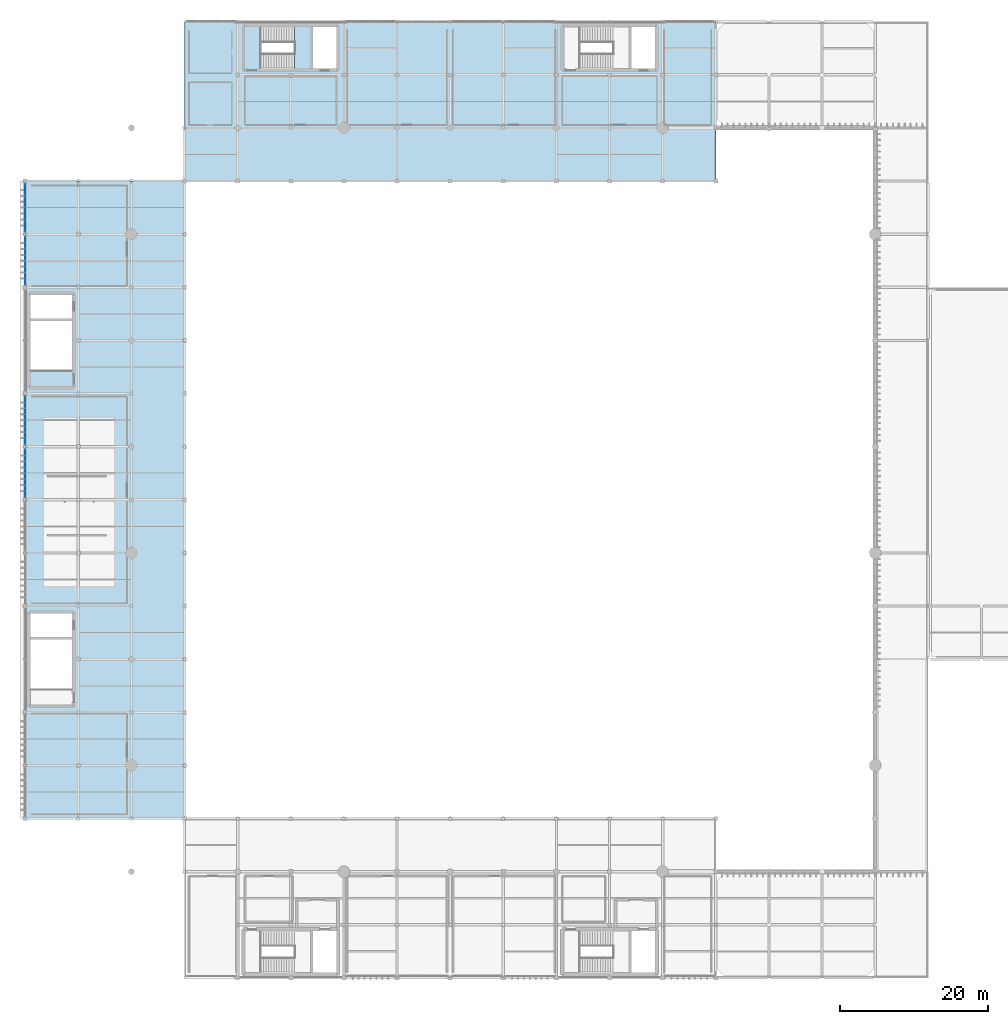
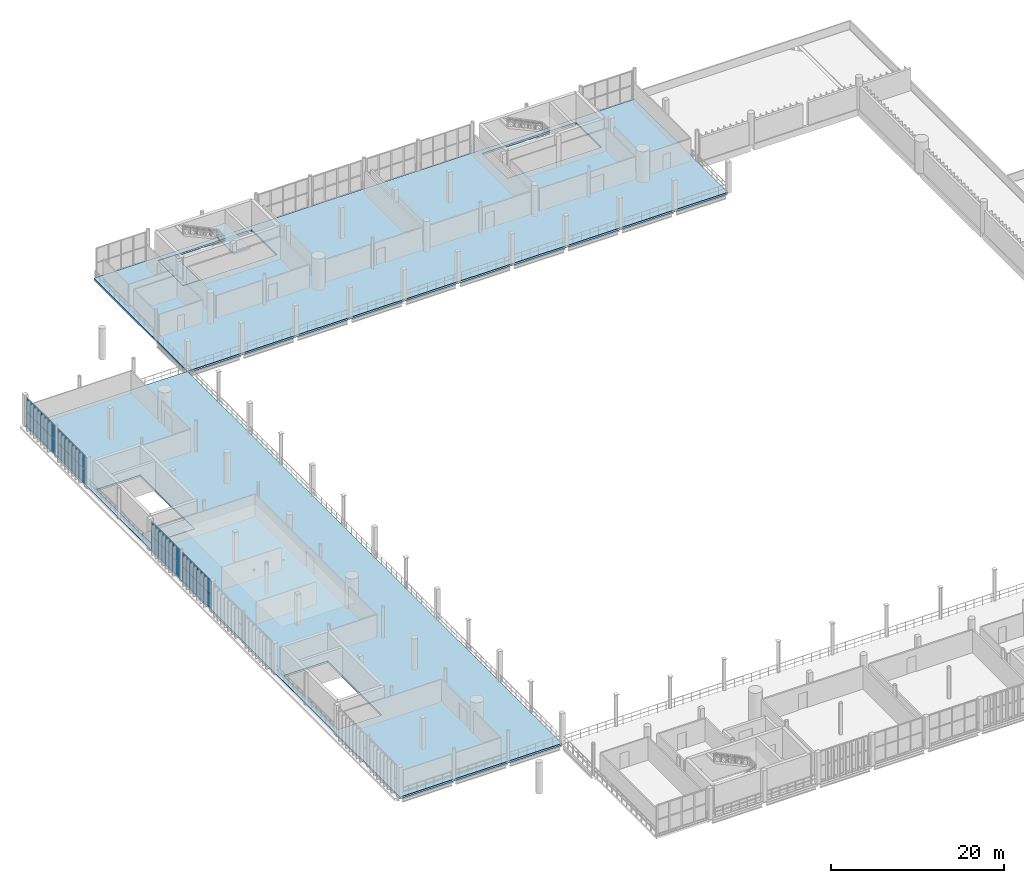
# One storey, part 54 of 81: 32 plates, 5 slabs, 5 elements without a shape of their own.
"""IFC4 building model written with IfcOpenShell, lengths in metres."""

from ifc_helpers import new_model, si_unit, direction, frame, origin, origin_2d, place, context, subcontext, project, spatial, polyline, rectangle, outline, extrude, material, layer, layer_set, type_object, element, aggregate, save


model = new_model("IFC4")

# Units and contexts
model_context = context("Model", 3, precision=1e-05, world=origin(), true_north=direction((0.0, 1.0)))
body_context = subcontext(model_context, "Body", "Model", "MODEL_VIEW")
ifc_project = project(units=[si_unit("LENGTHUNIT", "METRE"), si_unit("AREAUNIT", "SQUARE_METRE"), si_unit("VOLUMEUNIT", "CUBIC_METRE"), si_unit("PLANEANGLEUNIT", "RADIAN"), si_unit("MASSUNIT", "GRAM", prefix="KILO")], contexts=[model_context])

# Site, building, storey
site_placement = place(None, origin())
site = spatial("IfcSite", under=ifc_project, at=site_placement, CompositionType="ELEMENT")
building_placement = place(site_placement, origin())
building = spatial("IfcBuilding", under=site, at=building_placement, Name="Qandorah Velis Arena", CompositionType="ELEMENT")
storey_placement = place(building_placement, frame((0.0, 0.0, 18.60009765625)))
storey = spatial("IfcBuildingStorey", under=building, at=storey_placement, Name="L04", CompositionType="ELEMENT", Elevation=18.60009765625)

# Curtain wall, plates
ifc_material_1 = material(Name="Solar-control low-E double glazing", Category="glass")
curtain_wall_type_1 = type_object("IfcCurtainWallType", Name="ARC-CW-SYS14", PredefinedType="USERDEFINED", material=ifc_material_1)
curtain_wall_1_placement = place(storey_placement, origin())
curtain_wall_1 = element("IfcCurtainWall", 1, at=curtain_wall_1_placement, inside=storey, type_object=curtain_wall_type_1, Name="Unitised curtain wall L04-038", ObjectType="UNITISED CURTAIN WALL", PredefinedType="USERDEFINED")
ifc_layer_1 = layer(ifc_material_1, 0.028076171875)
ifc_layer_set_1 = layer_set([ifc_layer_1], Name="Solar-control low-E double glazing")
plate_type_1 = type_object("IfcPlateType", Name="ARC-CWP-GLZ28", PredefinedType="CURTAIN_PANEL", material=ifc_layer_set_1)
plate_1_placement = place(storey_placement, frame((0.0, 101.941162109375, 0.054931640625), z_axis=(0.0, 0.0, 1.0), x_axis=(0.0, 1.0, 0.0)))
plate_1 = element("IfcPlate", 2, at=plate_1_placement, type_object=plate_type_1, Name="CW14 panel 1.1", PredefinedType="CURTAIN_PANEL", context=body_context, shape_type="SweptSolid", body=[
    extrude(rectangle(XDim=1.572509765625, YDim=0.028076171875, at=origin_2d()), origin(), (0.0, 0.0, 1.0), 1.99755859375),
])
plate_2_placement = place(storey_placement, frame((0.0, 101.941162109375, 2.097412109375), z_axis=(0.0, 0.0, 1.0), x_axis=(0.0, 1.0, 0.0)))
plate_2 = element("IfcPlate", 3, at=plate_2_placement, type_object=plate_type_1, Name="CW14 panel 1.2", PredefinedType="CURTAIN_PANEL", context=body_context, shape_type="SweptSolid", body=[
    extrude(rectangle(XDim=1.572509765625, YDim=0.028076171875, at=origin_2d()), origin(), (0.0, 0.0, 1.0), 1.99755859375),
])
plate_3_placement = place(storey_placement, frame((0.0, 103.574951171875, 0.054931640625), z_axis=(0.0, 0.0, 1.0), x_axis=(0.0, 1.0, 0.0)))
plate_3 = element("IfcPlate", 4, at=plate_3_placement, type_object=plate_type_1, Name="CW14 panel 2.1", PredefinedType="CURTAIN_PANEL", context=body_context, shape_type="SweptSolid", body=[
    extrude(rectangle(XDim=1.60498046875, YDim=0.028076171875, at=origin_2d()), origin(), (0.0, 0.0, 1.0), 1.99755859375),
])
plate_4_placement = place(storey_placement, frame((0.0, 103.574951171875, 2.097412109375), z_axis=(0.0, 0.0, 1.0), x_axis=(0.0, 1.0, 0.0)))
plate_4 = element("IfcPlate", 5, at=plate_4_placement, type_object=plate_type_1, Name="CW14 panel 2.2", PredefinedType="CURTAIN_PANEL", context=body_context, shape_type="SweptSolid", body=[
    extrude(rectangle(XDim=1.60498046875, YDim=0.028076171875, at=origin_2d()), origin(), (0.0, 0.0, 1.0), 1.99755859375),
])
plate_5_placement = place(storey_placement, frame((0.0, 105.22509765625, 0.054931640625), z_axis=(0.0, 0.0, 1.0), x_axis=(0.0, 1.0, 0.0)))
plate_5 = element("IfcPlate", 6, at=plate_5_placement, type_object=plate_type_1, Name="CW14 panel 3.1", PredefinedType="CURTAIN_PANEL", context=body_context, shape_type="SweptSolid", body=[
    extrude(rectangle(XDim=1.60498046875, YDim=0.028076171875, at=origin_2d()), origin(), (0.0, 0.0, 1.0), 1.99755859375),
])
plate_6_placement = place(storey_placement, frame((0.0, 105.22509765625, 2.097412109375), z_axis=(0.0, 0.0, 1.0), x_axis=(0.0, 1.0, 0.0)))
plate_6 = element("IfcPlate", 7, at=plate_6_placement, type_object=plate_type_1, Name="CW14 panel 3.2", PredefinedType="CURTAIN_PANEL", context=body_context, shape_type="SweptSolid", body=[
    extrude(rectangle(XDim=1.60498046875, YDim=0.028076171875, at=origin_2d()), origin(), (0.0, 0.0, 1.0), 1.99755859375),
])
plate_7_placement = place(storey_placement, frame((0.0, 106.858642578125, 0.054931640625), z_axis=(0.0, 0.0, 1.0), x_axis=(0.0, 1.0, 0.0)))
plate_7 = element("IfcPlate", 8, at=plate_7_placement, type_object=plate_type_1, Name="CW14 panel 4.1", PredefinedType="CURTAIN_PANEL", context=body_context, shape_type="SweptSolid", body=[
    extrude(rectangle(XDim=1.572509765625, YDim=0.028076171875, at=origin_2d()), origin(), (0.0, 0.0, 1.0), 1.99755859375),
])
plate_8_placement = place(storey_placement, frame((0.0, 106.858642578125, 2.097412109375), z_axis=(0.0, 0.0, 1.0), x_axis=(0.0, 1.0, 0.0)))
plate_8 = element("IfcPlate", 9, at=plate_8_placement, type_object=plate_type_1, Name="CW14 panel 4.2", PredefinedType="CURTAIN_PANEL", context=body_context, shape_type="SweptSolid", body=[
    extrude(rectangle(XDim=1.572509765625, YDim=0.028076171875, at=origin_2d()), origin(), (0.0, 0.0, 1.0), 1.99755859375),
])
aggregate(curtain_wall_1, [plate_1, plate_2, plate_3, plate_4, plate_5, plate_6, plate_7, plate_8])

curtain_wall_type_2 = type_object("IfcCurtainWallType", Name="ARC-CW-SYS13", PredefinedType="USERDEFINED", material=ifc_material_1)
curtain_wall_2_placement = place(storey_placement, origin())
curtain_wall_2 = element("IfcCurtainWall", 10, at=curtain_wall_2_placement, inside=storey, type_object=curtain_wall_type_2, Name="Unitised curtain wall L04-037", ObjectType="UNITISED CURTAIN WALL", PredefinedType="USERDEFINED")
ifc_layer_2 = layer(ifc_material_1, 0.030029296875)
ifc_layer_set_2 = layer_set([ifc_layer_2], Name="Solar-control low-E double glazing")
plate_type_2 = type_object("IfcPlateType", Name="ARC-CWP-GLZ30", PredefinedType="CURTAIN_PANEL", material=ifc_layer_set_2)
plate_9_placement = place(storey_placement, frame((0.0, 94.74365234375, 0.06494140625), z_axis=(0.0, 0.0, 1.0), x_axis=(0.0, 1.0, 0.0)))
plate_9 = element("IfcPlate", 11, at=plate_9_placement, type_object=plate_type_2, Name="CW13 panel 1.1", PredefinedType="CURTAIN_PANEL", context=body_context, shape_type="SweptSolid", body=[
    extrude(rectangle(XDim=1.5576171875, YDim=0.030029296875, at=origin_2d()), origin(), (0.0, 0.0, 1.0), 1.982421875),
])
plate_10_placement = place(storey_placement, frame((0.0, 94.74365234375, 2.1025390625), z_axis=(0.0, 0.0, 1.0), x_axis=(0.0, 1.0, 0.0)))
plate_10 = element("IfcPlate", 12, at=plate_10_placement, type_object=plate_type_2, Name="CW13 panel 1.2", PredefinedType="CURTAIN_PANEL", context=body_context, shape_type="SweptSolid", body=[
    extrude(rectangle(XDim=1.5576171875, YDim=0.030029296875, at=origin_2d()), origin(), (0.0, 0.0, 1.0), 1.982421875),
])
plate_11_placement = place(storey_placement, frame((0.0, 96.375, 0.06494140625), z_axis=(0.0, 0.0, 1.0), x_axis=(0.0, 1.0, 0.0)))
plate_11 = element("IfcPlate", 13, at=plate_11_placement, type_object=plate_type_2, Name="CW13 panel 2.1", PredefinedType="CURTAIN_PANEL", context=body_context, shape_type="SweptSolid", body=[
    extrude(rectangle(XDim=1.594970703125, YDim=0.030029296875, at=origin_2d()), origin(), (0.0, 0.0, 1.0), 1.982421875),
])
plate_12_placement = place(storey_placement, frame((0.0, 96.375, 2.1025390625), z_axis=(0.0, 0.0, 1.0), x_axis=(0.0, 1.0, 0.0)))
plate_12 = element("IfcPlate", 14, at=plate_12_placement, type_object=plate_type_2, Name="CW13 panel 2.2", PredefinedType="CURTAIN_PANEL", context=body_context, shape_type="SweptSolid", body=[
    extrude(rectangle(XDim=1.594970703125, YDim=0.030029296875, at=origin_2d()), origin(), (0.0, 0.0, 1.0), 1.982421875),
])
plate_13_placement = place(storey_placement, frame((0.0, 98.02490234375, 0.06494140625), z_axis=(0.0, 0.0, 1.0), x_axis=(0.0, 1.0, 0.0)))
plate_13 = element("IfcPlate", 15, at=plate_13_placement, type_object=plate_type_2, Name="CW13 panel 3.1", PredefinedType="CURTAIN_PANEL", context=body_context, shape_type="SweptSolid", body=[
    extrude(rectangle(XDim=1.594970703125, YDim=0.030029296875, at=origin_2d()), origin(), (0.0, 0.0, 1.0), 1.982421875),
])
plate_14_placement = place(storey_placement, frame((0.0, 98.02490234375, 2.1025390625), z_axis=(0.0, 0.0, 1.0), x_axis=(0.0, 1.0, 0.0)))
plate_14 = element("IfcPlate", 16, at=plate_14_placement, type_object=plate_type_2, Name="CW13 panel 3.2", PredefinedType="CURTAIN_PANEL", context=body_context, shape_type="SweptSolid", body=[
    extrude(rectangle(XDim=1.594970703125, YDim=0.030029296875, at=origin_2d()), origin(), (0.0, 0.0, 1.0), 1.982421875),
])
plate_15_placement = place(storey_placement, frame((0.0, 99.65625, 0.06494140625), z_axis=(0.0, 0.0, 1.0), x_axis=(0.0, 1.0, 0.0)))
plate_15 = element("IfcPlate", 17, at=plate_15_placement, type_object=plate_type_2, Name="CW13 panel 4.1", PredefinedType="CURTAIN_PANEL", context=body_context, shape_type="SweptSolid", body=[
    extrude(rectangle(XDim=1.5576171875, YDim=0.030029296875, at=origin_2d()), origin(), (0.0, 0.0, 1.0), 1.982421875),
])
plate_16_placement = place(storey_placement, frame((0.0, 99.65625, 2.1025390625), z_axis=(0.0, 0.0, 1.0), x_axis=(0.0, 1.0, 0.0)))
plate_16 = element("IfcPlate", 18, at=plate_16_placement, type_object=plate_type_2, Name="CW13 panel 4.2", PredefinedType="CURTAIN_PANEL", context=body_context, shape_type="SweptSolid", body=[
    extrude(rectangle(XDim=1.5576171875, YDim=0.030029296875, at=origin_2d()), origin(), (0.0, 0.0, 1.0), 1.982421875),
])
aggregate(curtain_wall_2, [plate_9, plate_10, plate_11, plate_12, plate_13, plate_14, plate_15, plate_16])

curtain_wall_type_3 = type_object("IfcCurtainWallType", Name="ARC-CW-SYS12", PredefinedType="USERDEFINED", material=ifc_material_1)
curtain_wall_3_placement = place(storey_placement, origin())
curtain_wall_3 = element("IfcCurtainWall", 19, at=curtain_wall_3_placement, inside=storey, type_object=curtain_wall_type_3, Name="Unitised curtain wall L04-036", ObjectType="UNITISED CURTAIN WALL", PredefinedType="USERDEFINED")
ifc_layer_3 = layer(ifc_material_1, 0.035888671875)
ifc_layer_set_3 = layer_set([ifc_layer_3], Name="Solar-control low-E double glazing")
plate_type_3 = type_object("IfcPlateType", Name="ARC-CWP-GLZ36", PredefinedType="CURTAIN_PANEL", material=ifc_layer_set_3)
plate_17_placement = place(storey_placement, frame((0.0, 73.138671875, 0.044921875), z_axis=(0.0, 0.0, 1.0), x_axis=(0.0, 1.0, 0.0)))
plate_17 = element("IfcPlate", 20, at=plate_17_placement, type_object=plate_type_3, Name="CW12 panel 1.1", PredefinedType="CURTAIN_PANEL", context=body_context, shape_type="SweptSolid", body=[
    extrude(rectangle(XDim=1.58740234375, YDim=0.035888671875, at=origin_2d()), origin(), (0.0, 0.0, 1.0), 2.012451171875),
])
plate_18_placement = place(storey_placement, frame((0.0, 73.138671875, 2.09228515625), z_axis=(0.0, 0.0, 1.0), x_axis=(0.0, 1.0, 0.0)))
plate_18 = element("IfcPlate", 21, at=plate_18_placement, type_object=plate_type_3, Name="CW12 panel 1.2", PredefinedType="CURTAIN_PANEL", context=body_context, shape_type="SweptSolid", body=[
    extrude(rectangle(XDim=1.58740234375, YDim=0.035888671875, at=origin_2d()), origin(), (0.0, 0.0, 1.0), 2.012451171875),
])
plate_19_placement = place(storey_placement, frame((0.0, 74.77490234375, 0.044921875), z_axis=(0.0, 0.0, 1.0), x_axis=(0.0, 1.0, 0.0)))
plate_19 = element("IfcPlate", 22, at=plate_19_placement, type_object=plate_type_3, Name="CW12 panel 2.1", PredefinedType="CURTAIN_PANEL", context=body_context, shape_type="SweptSolid", body=[
    extrude(rectangle(XDim=1.614990234375, YDim=0.035888671875, at=origin_2d()), origin(), (0.0, 0.0, 1.0), 2.012451171875),
])
plate_20_placement = place(storey_placement, frame((0.0, 74.77490234375, 2.09228515625), z_axis=(0.0, 0.0, 1.0), x_axis=(0.0, 1.0, 0.0)))
plate_20 = element("IfcPlate", 23, at=plate_20_placement, type_object=plate_type_3, Name="CW12 panel 2.2", PredefinedType="CURTAIN_PANEL", context=body_context, shape_type="SweptSolid", body=[
    extrude(rectangle(XDim=1.614990234375, YDim=0.035888671875, at=origin_2d()), origin(), (0.0, 0.0, 1.0), 2.012451171875),
])
plate_21_placement = place(storey_placement, frame((0.0, 76.425048828125, 0.044921875), z_axis=(0.0, 0.0, 1.0), x_axis=(0.0, 1.0, 0.0)))
plate_21 = element("IfcPlate", 24, at=plate_21_placement, type_object=plate_type_3, Name="CW12 panel 3.1", PredefinedType="CURTAIN_PANEL", context=body_context, shape_type="SweptSolid", body=[
    extrude(rectangle(XDim=1.614990234375, YDim=0.035888671875, at=origin_2d()), origin(), (0.0, 0.0, 1.0), 2.012451171875),
])
plate_22_placement = place(storey_placement, frame((0.0, 76.425048828125, 2.09228515625), z_axis=(0.0, 0.0, 1.0), x_axis=(0.0, 1.0, 0.0)))
plate_22 = element("IfcPlate", 25, at=plate_22_placement, type_object=plate_type_3, Name="CW12 panel 3.2", PredefinedType="CURTAIN_PANEL", context=body_context, shape_type="SweptSolid", body=[
    extrude(rectangle(XDim=1.614990234375, YDim=0.035888671875, at=origin_2d()), origin(), (0.0, 0.0, 1.0), 2.012451171875),
])
plate_23_placement = place(storey_placement, frame((0.0, 78.061279296875, 0.044921875), z_axis=(0.0, 0.0, 1.0), x_axis=(0.0, 1.0, 0.0)))
plate_23 = element("IfcPlate", 26, at=plate_23_placement, type_object=plate_type_3, Name="CW12 panel 4.1", PredefinedType="CURTAIN_PANEL", context=body_context, shape_type="SweptSolid", body=[
    extrude(rectangle(XDim=1.58740234375, YDim=0.035888671875, at=origin_2d()), origin(), (0.0, 0.0, 1.0), 2.012451171875),
])
plate_24_placement = place(storey_placement, frame((0.0, 78.061279296875, 2.09228515625), z_axis=(0.0, 0.0, 1.0), x_axis=(0.0, 1.0, 0.0)))
plate_24 = element("IfcPlate", 27, at=plate_24_placement, type_object=plate_type_3, Name="CW12 panel 4.2", PredefinedType="CURTAIN_PANEL", context=body_context, shape_type="SweptSolid", body=[
    extrude(rectangle(XDim=1.58740234375, YDim=0.035888671875, at=origin_2d()), origin(), (0.0, 0.0, 1.0), 2.012451171875),
])
aggregate(curtain_wall_3, [plate_17, plate_18, plate_19, plate_20, plate_21, plate_22, plate_23, plate_24])

curtain_wall_type_4 = type_object("IfcCurtainWallType", Name="ARC-CW-SYS11", PredefinedType="USERDEFINED", material=ifc_material_1)
curtain_wall_4_placement = place(storey_placement, origin())
curtain_wall_4 = element("IfcCurtainWall", 28, at=curtain_wall_4_placement, inside=storey, type_object=curtain_wall_type_4, Name="Unitised curtain wall L04-035", ObjectType="UNITISED CURTAIN WALL", PredefinedType="USERDEFINED")
ifc_layer_4 = layer(ifc_material_1, 0.0439453125)
ifc_layer_set_4 = layer_set([ifc_layer_4], Name="Solar-control low-E double glazing")
plate_type_4 = type_object("IfcPlateType", Name="ARC-CWP-SPN44", PredefinedType="CURTAIN_PANEL", material=ifc_layer_set_4)
plate_25_placement = place(storey_placement, frame((0.0, 65.93994140625, 0.050048828125), z_axis=(0.0, 0.0, 1.0), x_axis=(0.0, 1.0, 0.0)))
plate_25 = element("IfcPlate", 29, at=plate_25_placement, type_object=plate_type_4, Name="CW11 panel 1.1", PredefinedType="CURTAIN_PANEL", context=body_context, shape_type="SweptSolid", body=[
    extrude(rectangle(XDim=1.580078125, YDim=0.0439453125, at=origin_2d()), origin(), (0.0, 0.0, 1.0), 2.0048828125),
])
plate_26_placement = place(storey_placement, frame((0.0, 65.93994140625, 2.094970703125), z_axis=(0.0, 0.0, 1.0), x_axis=(0.0, 1.0, 0.0)))
plate_26 = element("IfcPlate", 30, at=plate_26_placement, type_object=plate_type_4, Name="CW11 panel 1.2", PredefinedType="CURTAIN_PANEL", context=body_context, shape_type="SweptSolid", body=[
    extrude(rectangle(XDim=1.580078125, YDim=0.0439453125, at=origin_2d()), origin(), (0.0, 0.0, 1.0), 2.0048828125),
])
plate_27_placement = place(storey_placement, frame((0.0, 67.574951171875, 0.050048828125), z_axis=(0.0, 0.0, 1.0), x_axis=(0.0, 1.0, 0.0)))
plate_27 = element("IfcPlate", 31, at=plate_27_placement, type_object=plate_type_4, Name="CW11 panel 2.1", PredefinedType="CURTAIN_PANEL", context=body_context, shape_type="SweptSolid", body=[
    extrude(rectangle(XDim=1.610107421875, YDim=0.0439453125, at=origin_2d()), origin(), (0.0, 0.0, 1.0), 2.0048828125),
])
plate_28_placement = place(storey_placement, frame((0.0, 67.574951171875, 2.094970703125), z_axis=(0.0, 0.0, 1.0), x_axis=(0.0, 1.0, 0.0)))
plate_28 = element("IfcPlate", 32, at=plate_28_placement, type_object=plate_type_4, Name="CW11 panel 2.2", PredefinedType="CURTAIN_PANEL", context=body_context, shape_type="SweptSolid", body=[
    extrude(rectangle(XDim=1.610107421875, YDim=0.0439453125, at=origin_2d()), origin(), (0.0, 0.0, 1.0), 2.0048828125),
])
plate_29_placement = place(storey_placement, frame((0.0, 69.22509765625, 0.050048828125), z_axis=(0.0, 0.0, 1.0), x_axis=(0.0, 1.0, 0.0)))
plate_29 = element("IfcPlate", 33, at=plate_29_placement, type_object=plate_type_4, Name="CW11 panel 3.1", PredefinedType="CURTAIN_PANEL", context=body_context, shape_type="SweptSolid", body=[
    extrude(rectangle(XDim=1.610107421875, YDim=0.0439453125, at=origin_2d()), origin(), (0.0, 0.0, 1.0), 2.0048828125),
])
plate_30_placement = place(storey_placement, frame((0.0, 69.22509765625, 2.094970703125), z_axis=(0.0, 0.0, 1.0), x_axis=(0.0, 1.0, 0.0)))
plate_30 = element("IfcPlate", 34, at=plate_30_placement, type_object=plate_type_4, Name="CW11 panel 3.2", PredefinedType="CURTAIN_PANEL", context=body_context, shape_type="SweptSolid", body=[
    extrude(rectangle(XDim=1.610107421875, YDim=0.0439453125, at=origin_2d()), origin(), (0.0, 0.0, 1.0), 2.0048828125),
])
plate_31_placement = place(storey_placement, frame((0.0, 70.860107421875, 0.050048828125), z_axis=(0.0, 0.0, 1.0), x_axis=(0.0, 1.0, 0.0)))
plate_31 = element("IfcPlate", 35, at=plate_31_placement, type_object=plate_type_4, Name="CW11 panel 4.1", PredefinedType="CURTAIN_PANEL", context=body_context, shape_type="SweptSolid", body=[
    extrude(rectangle(XDim=1.580078125, YDim=0.0439453125, at=origin_2d()), origin(), (0.0, 0.0, 1.0), 2.0048828125),
])
plate_32_placement = place(storey_placement, frame((0.0, 70.860107421875, 2.094970703125), z_axis=(0.0, 0.0, 1.0), x_axis=(0.0, 1.0, 0.0)))
plate_32 = element("IfcPlate", 36, at=plate_32_placement, type_object=plate_type_4, Name="CW11 panel 4.2", PredefinedType="CURTAIN_PANEL", context=body_context, shape_type="SweptSolid", body=[
    extrude(rectangle(XDim=1.580078125, YDim=0.0439453125, at=origin_2d()), origin(), (0.0, 0.0, 1.0), 2.0048828125),
])
aggregate(curtain_wall_4, [plate_25, plate_26, plate_27, plate_28, plate_29, plate_30, plate_31, plate_32])

# Slabs
ifc_material_2 = material(Name="Concrete C40/50", Category="concrete")
ifc_layer_5 = layer(ifc_material_2, 0.27001953125)
ifc_layer_set_5 = layer_set([ifc_layer_5], Name="Concrete C40/50")
slab_type_1 = type_object("IfcSlabType", Name="STR-SLB-FL270", PredefinedType="FLOOR", material=ifc_layer_set_5)
slab_1_placement = place(storey_placement, frame((0.0, 0.0, -0.27001953125)))
element("IfcSlab", 37, at=slab_1_placement, inside=storey, type_object=slab_type_1, Name="Structural floor slab L04_WEST_MEDIA", PredefinedType="FLOOR", context=body_context, shape_type="SweptSolid", body=[
    extrude(outline(polyline([(21.60009765625, 21.60009765625), (0.0, 21.60009765625), (0.0, 108.0), (21.60009765625, 108.0), (21.60009765625, 21.60009765625)]), holes=[polyline([(6.455078125, 36.945068359375), (6.455078125, 39.155029296875), (6.455078125, 49.455078125), (0.64501953125, 49.455078125), (0.64501953125, 39.155029296875), (0.64501953125, 36.945068359375), (6.455078125, 36.945068359375)]), polyline([(0.64501953125, 80.14501953125), (6.455078125, 80.14501953125), (6.455078125, 82.35498046875), (6.455078125, 92.655029296875), (0.64501953125, 92.655029296875), (0.64501953125, 82.35498046875), (0.64501953125, 80.14501953125)])]), origin(), (0.0, 0.0, 1.0), 0.27001953125),
])
slab_2_placement = place(storey_placement, frame((0.0, 0.0, -0.27001953125)))
element("IfcSlab", 38, at=slab_2_placement, inside=storey, type_object=slab_type_1, Name="Structural floor slab L04_NORTH_MEDIA", PredefinedType="FLOOR", context=body_context, shape_type="SweptSolid", body=[
    extrude(outline(polyline([(93.60009765625, 108.0), (21.60009765625, 108.0), (21.60009765625, 129.60009765625), (93.60009765625, 129.60009765625), (93.60009765625, 108.0)]), holes=[polyline([(29.7451171875, 123.14501953125), (31.955078125, 123.14501953125), (42.2548828125, 123.14501953125), (42.2548828125, 128.955078125), (31.955078125, 128.955078125), (31.955078125, 128.955078125), (29.7451171875, 128.955078125), (29.7451171875, 128.955078125), (29.7451171875, 123.14501953125)]), polyline([(72.945068359375, 128.955078125), (72.945068359375, 123.14501953125), (75.155029296875, 123.14501953125), (85.455078125, 123.14501953125), (85.455078125, 128.955078125), (75.155029296875, 128.955078125), (75.155029296875, 128.955078125), (72.945068359375, 128.955078125), (72.945068359375, 128.955078125)])]), origin(), (0.0, 0.0, 1.0), 0.27001953125),
])
ifc_layer_6 = layer(ifc_material_2, 0.219970703125)
ifc_layer_set_6 = layer_set([ifc_layer_6], Name="Concrete C40/50")
slab_type_2 = type_object("IfcSlabType", Name="STR-SLB-LND220", PredefinedType="LANDING", material=ifc_layer_set_6)
slab_3_placement = place(storey_placement, frame((0.0, 0.0, -0.22021484375)))
element("IfcSlab", 39, at=slab_3_placement, inside=storey, type_object=slab_type_2, Name="Stair ST3 storey landing slab L04", PredefinedType="LANDING", context=body_context, shape_type="SweptSolid", body=[
    extrude(outline(polyline([(29.75, 123.14990234375), (31.949951171875, 123.14990234375), (31.949951171875, 128.949951171875), (29.75, 128.949951171875), (29.75, 123.14990234375)])), origin(), (0.0, 0.0, 1.0), 0.22021484375),
])

# Stair, slab
stair_type = type_object("IfcStairType", Name="ARC-ST-CORE44", PredefinedType="HALF_TURN_STAIR", material=ifc_material_2)
stair_placement = place(storey_placement, origin())
stair = element("IfcStair", 40, at=stair_placement, inside=storey, type_object=stair_type, Name="Protected exit stair ST3 (L04)", PredefinedType="HALF_TURN_STAIR")
slab_4_placement = place(storey_placement, frame((0.0, 0.0, 1.97998046875)))
slab_4 = element("IfcSlab", 41, at=slab_4_placement, type_object=slab_type_2, Name="ST3 landing 1", PredefinedType="LANDING", context=body_context, shape_type="SweptSolid", body=[
    extrude(outline(polyline([(36.486083984375, 123.14990234375), (38.736083984375, 123.14990234375), (38.736083984375, 128.949951171875), (36.486083984375, 128.949951171875), (36.486083984375, 123.14990234375)])), origin(), (0.0, 0.0, 1.0), 0.219970703125),
])
aggregate(stair, [slab_4])

# Slab
slab_5_placement = place(storey_placement, frame((0.0, 0.0, -0.22021484375)))
element("IfcSlab", 42, at=slab_5_placement, inside=storey, type_object=slab_type_2, Name="Stair ST6 storey landing slab L04", PredefinedType="LANDING", context=body_context, shape_type="SweptSolid", body=[
    extrude(outline(polyline([(0.64990234375, 80.14990234375), (6.449951171875, 80.14990234375), (6.449951171875, 82.35009765625), (0.64990234375, 82.35009765625), (0.64990234375, 80.14990234375)])), origin(), (0.0, 0.0, 1.0), 0.22021484375),
])

save(model, "model.ifc")
